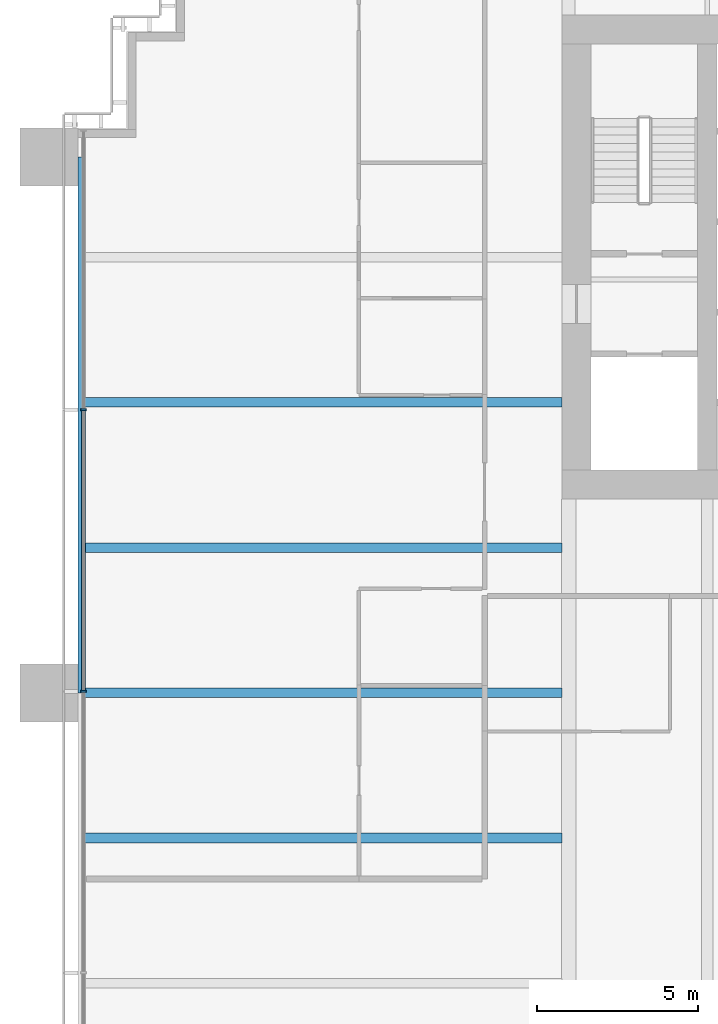
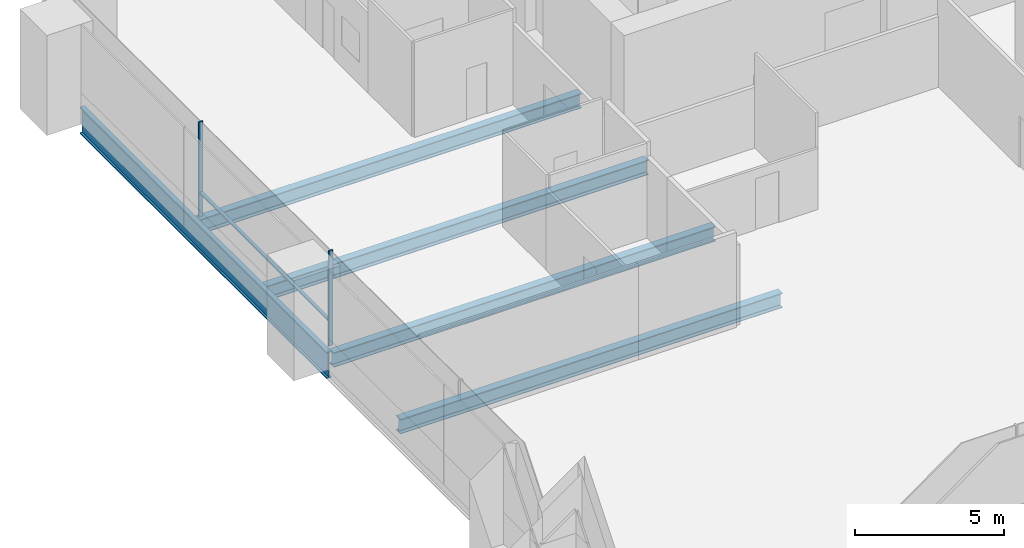
# One storey, part 4 of 19: 5 beams, 3 members, 1 element without a shape of its own.
"""IFC4 building model written with IfcOpenShell, lengths in metres."""

import ifcopenshell
import ifcopenshell.guid

model = None  # the IFC model being written
_history = None  # IfcOwnerHistory: only IFC2X3 demands one
_inside = {}  # id of a spatial element -> (the spatial element, [elements in it])
_under = {}  # id of a project, library or spatial element -> (it, [spatial elements below it])
_declared = {}  # id of a project -> (the project, [libraries it declares])
_typed = {}  # id of a type object -> (the type object, [elements of that type])
_made_of = {}  # id of a material, layer set ... -> (it, [elements and type objects made of it])


def new_model(schema):
    """Start an empty IFC model of exactly this schema.

    Asked for "IFC4X3", IfcOpenShell would pick the latest addendum, in which some entities
    have other attributes; the version numbers below select the first issue.
    IFC2X3 requires an IfcOwnerHistory on every rooted entity: one is made here for all.
    """
    global model, _history
    if schema == "IFC4X3":
        model = ifcopenshell.file(schema_version=(4, 3, 0, 0))
    else:
        model = ifcopenshell.file(schema=schema)
    _inside.clear()
    _under.clear()
    _declared.clear()
    _typed.clear()
    _made_of.clear()
    _history = None
    if model.schema == "IFC2X3":
        org = make("IfcOrganization", Name="unknown")
        user = make(
            "IfcPersonAndOrganization",
            ThePerson=make("IfcPerson", FamilyName="unknown"),
            TheOrganization=org,
        )
        app = make(
            "IfcApplication",
            ApplicationDeveloper=org,
            Version="unknown",
            ApplicationFullName="unknown",
            ApplicationIdentifier="unknown",
        )
        _history = make(
            "IfcOwnerHistory",
            OwningUser=user,
            OwningApplication=app,
            ChangeAction="ADDED",
            CreationDate=0,
        )
    return model


def make(cls, **values):
    """One entity of the class cls with the attributes given. An attribute that is None is left unset."""
    return model.create_entity(
        cls, **{name: value for name, value in values.items() if value is not None}
    )


def rooted(cls, **values):
    """An entity with a GlobalId (a new one), such as an element, a storey or a relation."""
    return make(cls, GlobalId=ifcopenshell.guid.new(), OwnerHistory=_history, **values)


def si_unit(unit_type, name, prefix=None):
    """IfcSIUnit, for example si_unit("LENGTHUNIT", "METRE", prefix="MILLI")."""
    return make("IfcSIUnit", UnitType=unit_type, Prefix=prefix, Name=name)


def assignment(units):
    """IfcUnitAssignment: the units of a project."""
    return None if units is None else make("IfcUnitAssignment", Units=units)


def point(xyz):
    """IfcCartesianPoint."""
    return None if xyz is None else make("IfcCartesianPoint", Coordinates=xyz)


def direction(xyz):
    """IfcDirection."""
    return None if xyz is None else make("IfcDirection", DirectionRatios=xyz)


def frame(location, z_axis=None, x_axis=None):
    """IfcAxis2Placement3D, a coordinate frame: its origin and axes. An axis left out is left unset."""
    return make(
        "IfcAxis2Placement3D",
        Location=point(location),
        Axis=direction(z_axis),
        RefDirection=direction(x_axis),
    )


def frame_2d(location, x_axis=None):
    """IfcAxis2Placement2D, a coordinate frame in the plane: its origin and x axis."""
    return make(
        "IfcAxis2Placement2D", Location=point(location), RefDirection=direction(x_axis)
    )


def origin():
    """The frame at (0, 0, 0) with its axes left unset."""
    return frame((0.0, 0.0, 0.0))


def origin_2d():
    """The frame at (0, 0) in the plane with its x axis left unset."""
    return frame_2d((0.0, 0.0))


def place(relative_to, where):
    """IfcLocalPlacement: puts the frame where relative to a parent placement (None: the world)."""
    return make(
        "IfcLocalPlacement", PlacementRelTo=relative_to, RelativePlacement=where
    )


def context(
    kind, dimensions, precision=None, world=None, true_north=None, identifier=None
):
    """IfcGeometricRepresentationContext, for example the 3D "Model" context."""
    return make(
        "IfcGeometricRepresentationContext",
        ContextIdentifier=identifier,
        ContextType=kind,
        CoordinateSpaceDimension=dimensions,
        Precision=precision,
        WorldCoordinateSystem=world,
        TrueNorth=true_north,
    )


def subcontext(parent, identifier, kind, view, scale=None):
    """IfcGeometricRepresentationSubContext, for example "Body" below "Model"."""
    return make(
        "IfcGeometricRepresentationSubContext",
        ContextIdentifier=identifier,
        ContextType=kind,
        ParentContext=parent,
        TargetScale=scale,
        TargetView=view,
    )


def project(units=None, contexts=None):
    """IfcProject with its units and contexts."""
    return rooted(
        "IfcProject",
        Name="project",
        RepresentationContexts=contexts,
        UnitsInContext=assignment(units),
    )


def spatial(cls, under=None, at=None, **own):
    """A site, building, storey or space (cls), placed at a placement, below another one or the project."""
    s = rooted(cls, ObjectPlacement=at, **own)
    if under is not None:
        _under.setdefault(under.id(), (under, []))[1].append(s)
    return s


def profile(cls, at=None, kind="AREA", **sizes):
    """A parametric profile (cls). Its sizes go by their IFC names, for example OverallWidth=200.0."""
    return make(cls, ProfileType=kind, Position=at, **sizes)


def rectangle(**sizes):
    """IfcRectangleProfileDef."""
    return profile("IfcRectangleProfileDef", **sizes)


def i_section(**sizes):
    """IfcIShapeProfileDef."""
    return profile("IfcIShapeProfileDef", **sizes)


def extrude(swept, where, along, depth):
    """IfcExtrudedAreaSolid: the profile swept, set in the frame where, extruded along a direction by depth."""
    return make(
        "IfcExtrudedAreaSolid",
        SweptArea=swept,
        Position=where,
        ExtrudedDirection=direction(along),
        Depth=depth,
    )


def shape(context_of_items, identifier, shape_type, items):
    """IfcShapeRepresentation: the items that make up one representation, for example the "Body"."""
    return make(
        "IfcShapeRepresentation",
        ContextOfItems=context_of_items,
        RepresentationIdentifier=identifier,
        RepresentationType=shape_type,
        Items=items,
    )


def material(Name=None, Category=None):
    """IfcMaterial."""
    return make("IfcMaterial", Name=Name, Category=Category)


def material_profile(
    of_material, cross_section, Name=None, Category=None, Priority=None
):
    """IfcMaterialProfile: a cross section and its material."""
    return make(
        "IfcMaterialProfile",
        Name=Name,
        Material=of_material,
        Profile=cross_section,
        Priority=Priority,
        Category=Category,
    )


def profile_set(profiles, Name=None, composite=None):
    """IfcMaterialProfileSet."""
    return make(
        "IfcMaterialProfileSet",
        Name=Name,
        MaterialProfiles=profiles,
        CompositeProfile=composite,
    )


def made_of(thing, what):
    """Note that an element or type object is made of a material, layer set ...; save() writes the relation."""
    if what is not None:
        _made_of.setdefault(what.id(), (what, []))[1].append(thing)
    return thing


def type_object(cls, material=None, **own):
    """A type object (cls), such as IfcWallType, which elements share."""
    return made_of(rooted(cls, **own), material)


def element(
    cls,
    number,
    at=None,
    inside=None,
    cuts=None,
    type_object=None,
    material=None,
    context=None,
    identifier="Body",
    shape_type=None,
    held_by="IfcProductDefinitionShape",
    body=None,
    shapes=None,
    **own,
):
    """One element of the class cls, such as IfcWall. Its Tag is "e" and its number.

    at: its placement. inside: the storey or other place that contains it. cuts: it is an
    opening in that element (IfcRelVoidsElement). A single representation is given by context,
    identifier, shape_type and body (its items); several are given by shapes. held_by: the class
    of the entity that holds the representations. save() writes the other relations.
    """
    e = rooted(cls, Tag="e%d" % number, ObjectPlacement=at, **own)
    if body is not None:
        shapes = [shape(context, identifier, shape_type, body)]
    if shapes is not None:
        e.Representation = make(held_by, Representations=shapes)
    if inside is not None:
        _inside.setdefault(inside.id(), (inside, []))[1].append(e)
    if cuts is not None:
        rooted(
            "IfcRelVoidsElement", RelatingBuildingElement=cuts, RelatedOpeningElement=e
        )
    if type_object is not None:
        _typed.setdefault(type_object.id(), (type_object, []))[1].append(e)
    return made_of(e, material)


def aggregate(whole, parts):
    """IfcRelAggregates: a whole, such as a stair, and the parts it consists of."""
    return rooted("IfcRelAggregates", RelatingObject=whole, RelatedObjects=parts)


def save(model, path):
    """Write the relations noted so far, then the file.

    IfcRelAggregates (storeys below a building ...), IfcRelContainedInSpatialStructure (elements
    in a storey), IfcRelDefinesByType, IfcRelAssociatesMaterial and IfcRelDeclares: one each for
    every whole, place, type object, material and project.
    """
    for whole, parts in _under.values():
        aggregate(whole, parts)
    for where, things in _inside.values():
        rooted(
            "IfcRelContainedInSpatialStructure",
            RelatedElements=things,
            RelatingStructure=where,
        )
    for kind, things in _typed.values():
        rooted("IfcRelDefinesByType", RelatedObjects=things, RelatingType=kind)
    for what, things in _made_of.values():
        rooted("IfcRelAssociatesMaterial", RelatedObjects=things, RelatingMaterial=what)
    for by, libraries in _declared.values():
        rooted("IfcRelDeclares", RelatingContext=by, RelatedDefinitions=libraries)
    model.write(path)


model = new_model("IFC4")

# Units and contexts
model_context = context("Model", 3, precision=1e-05, world=origin(), true_north=direction((0.0, 1.0)))
body_context = subcontext(model_context, "Body", "Model", "MODEL_VIEW")
ifc_project = project(units=[si_unit("LENGTHUNIT", "METRE"), si_unit("AREAUNIT", "SQUARE_METRE"), si_unit("VOLUMEUNIT", "CUBIC_METRE"), si_unit("PLANEANGLEUNIT", "RADIAN"), si_unit("MASSUNIT", "GRAM", prefix="KILO")], contexts=[model_context])

# Site, building, storey
site_placement = place(None, origin())
site = spatial("IfcSite", under=ifc_project, at=site_placement, CompositionType="ELEMENT")
building_placement = place(site_placement, origin())
building = spatial("IfcBuilding", under=site, at=building_placement, Name="Rattan Terrace Tower", CompositionType="ELEMENT")
storey_placement = place(building_placement, frame((0.0, 0.0, 52.89990234375)))
storey = spatial("IfcBuildingStorey", under=building, at=storey_placement, Name="L11", CompositionType="ELEMENT", Elevation=52.89990234375)

# Curtain wall, members
ifc_material_1 = material(Name="Aluminium and glass", Category="aluminium")
curtain_wall_type = type_object("IfcCurtainWallType", Name="Facade Unitised Curtain Wall", PredefinedType="NOTDEFINED", material=ifc_material_1)
curtain_wall_placement = place(storey_placement, origin())
curtain_wall = element("IfcCurtainWall", 1, at=curtain_wall_placement, inside=storey, type_object=curtain_wall_type, Name="Curtain wall L11-3", PredefinedType="NOTDEFINED")
ifc_material_2 = material(Name="Aluminium", Category="aluminium")
ifc_material_profile_1 = material_profile(ifc_material_2, rectangle(XDim=0.06005859375, YDim=0.159912109375, at=origin_2d()), Name="Aluminium 60x160")
ifc_profile_set_1 = profile_set([ifc_material_profile_1], Name="Aluminium")
member_type_1 = type_object("IfcMemberType", Name="Facade CW Mullion 60x160", PredefinedType="MULLION", material=ifc_profile_set_1)
member_1_placement = place(storey_placement, frame((-32.830078125, -4.72705078125, 0.0), z_axis=(0.0, 0.0, 1.0), x_axis=(0.0, -1.0, 0.0)))
member_1 = element("IfcMember", 2, at=member_1_placement, type_object=member_type_1, Name="Mullion cwl-L11-003.2", PredefinedType="MULLION", context=body_context, shape_type="SweptSolid", body=[
    extrude(rectangle(XDim=0.06005859375, YDim=0.159912109375, at=origin_2d()), origin(), (0.0, 0.0, 1.0), 3.900146484375),
])
member_2_placement = place(storey_placement, frame((-32.830078125, -13.4541015625, 0.0), z_axis=(0.0, 0.0, 1.0), x_axis=(0.0, -1.0, 0.0)))
member_2 = element("IfcMember", 3, at=member_2_placement, type_object=member_type_1, Name="Mullion cwl-L11-003.3", PredefinedType="MULLION", context=body_context, shape_type="SweptSolid", body=[
    extrude(rectangle(XDim=0.06005859375, YDim=0.159912109375, at=origin_2d()), origin(), (0.0, 0.0, 1.0), 3.900146484375),
])
ifc_material_3 = material(Name="Aluminium", Category="aluminium")
ifc_material_profile_2 = material_profile(ifc_material_3, rectangle(XDim=0.1201171875, YDim=0.06005859375, at=origin_2d()), Name="Aluminium 120x60")
ifc_profile_set_2 = profile_set([ifc_material_profile_2], Name="Aluminium")
member_type_2 = type_object("IfcMemberType", Name="Facade CW Transom 120x60", PredefinedType="USERDEFINED", material=ifc_profile_set_2)
member_3_placement = place(storey_placement, frame((-32.830078125, -4.757080078125, 1.0), z_axis=(0.0, -1.0, 0.0), x_axis=(1.0, 0.0, 0.0)))
member_3 = element("IfcMember", 4, at=member_3_placement, type_object=member_type_2, Name="Transom cwl-L11-003.2", ObjectType="TRANSOM", PredefinedType="USERDEFINED", context=body_context, shape_type="SweptSolid", body=[
    extrude(rectangle(XDim=0.1201171875, YDim=0.06005859375, at=origin_2d()), origin(), (0.0, 0.0, 1.0), 8.6669921875),
])
aggregate(curtain_wall, [member_1, member_2, member_3])

# Beams
ifc_material_4 = material(Name="Steel S460", Category="steel")
ifc_material_profile_3 = material_profile(ifc_material_4, i_section(OverallWidth=0.179931640625, OverallDepth=1.10009765625, WebThickness=0.01611328125, FlangeThickness=0.050048828125, at=origin_2d()), Name="PG 1100x180-16-50")
ifc_profile_set_3 = profile_set([ifc_material_profile_3], Name="Steel S460")
beam_type_1 = type_object("IfcBeamType", Name="Frame edge girder PG 1100x180-16-50", PredefinedType="SPANDREL", material=ifc_profile_set_3)
beam_placement = place(storey_placement, frame((-32.909912109375, 3.10009765625, -0.75), z_axis=(0.0, -1.0, 0.0), x_axis=(1.0, 0.0, 0.0)))
element("IfcBeam", 5, at=beam_placement, inside=storey, type_object=beam_type_1, Name="gdr-L11-008", PredefinedType="SPANDREL", context=body_context, shape_type="SweptSolid", body=[
    extrude(i_section(OverallWidth=0.179931640625, OverallDepth=1.10009765625, WebThickness=0.01611328125, FlangeThickness=0.050048828125, at=origin_2d()), origin(), (0.0, 0.0, 1.0), 16.60009765625),
])
ifc_material_5 = material(Name="Steel S355", Category="steel")
ifc_material_profile_4 = material_profile(ifc_material_5, i_section(OverallWidth=0.300048828125, OverallDepth=0.60009765625, WebThickness=0.015380859375, FlangeThickness=0.030029296875, FilletRadius=0.027099609375, at=origin_2d()), Name="HE 600 B")
ifc_profile_set_4 = profile_set([ifc_material_profile_4], Name="Steel S355")
beam_type_2 = type_object("IfcBeamType", Name="Frame floor beam HE 600 B", PredefinedType="JOIST", material=ifc_profile_set_4)
for number, where, z_axis, x_axis, name in (
    (6, (-32.820068359375, -18.0, -0.5), (1.0, 0.0, 0.0), (0.0, 1.0, 0.0), "bm-L11-014"),
    (7, (-32.820068359375, -13.5, -0.5), (1.0, 0.0, 0.0), (0.0, 1.0, 0.0), "bm-L11-016"),
    (8, (-32.820068359375, -9.0, -0.5), (1.0, 0.0, 0.0), (0.0, 1.0, 0.0), "bm-L11-018"),
    (9, (-32.820068359375, -4.5, -0.5), (1.0, 0.0, 0.0), (0.0, 1.0, 0.0), "bm-L11-020"),
):
    element("IfcBeam", number, at=place(storey_placement, frame(where, z_axis=z_axis, x_axis=x_axis)), inside=storey, type_object=beam_type_2, Name=name, PredefinedType="JOIST", context=body_context, shape_type="SweptSolid", body=[
        extrude(i_section(OverallWidth=0.300048828125, OverallDepth=0.60009765625, WebThickness=0.015380859375, FlangeThickness=0.030029296875, FilletRadius=0.027099609375, at=origin_2d()), origin(), (0.0, 0.0, 1.0), 14.820068359375),
    ])

save(model, "model.ifc")
